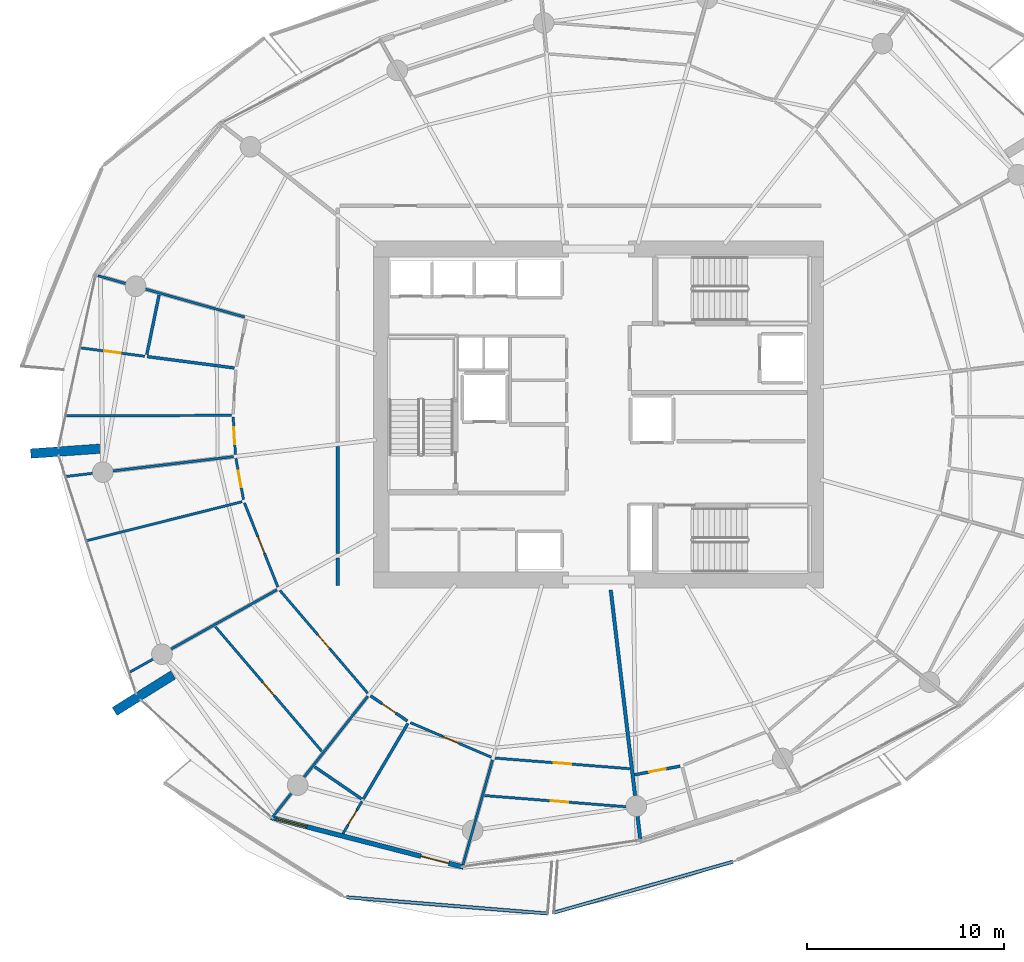
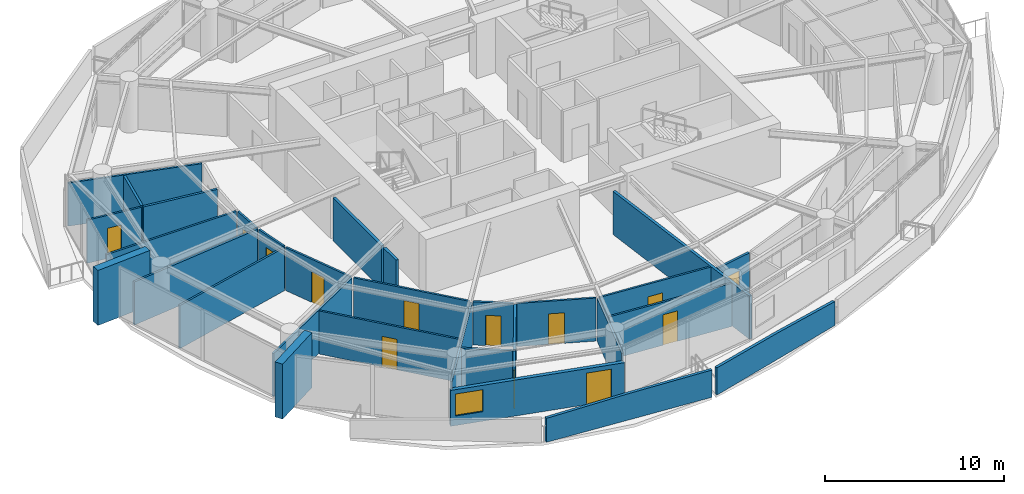
# One storey, part 11 of 20: 31 walls, 13 doors, 1 window, 14 openings.
"""IFC4 building model written with IfcOpenShell, lengths in metres."""

from ifc_helpers import new_model, si_unit, direction, frame, frame_2d, origin, place, context, subcontext, project, spatial, polyline, rectangle, outline, extrude, material, layer, layer_set, type_object, element, fill, save


model = new_model("IFC4")

# Units and contexts
model_context = context("Model", 3, precision=1e-05, world=origin(), true_north=direction((0.0, 1.0)))
body_context = subcontext(model_context, "Body", "Model", "MODEL_VIEW")
ifc_project = project(units=[si_unit("LENGTHUNIT", "METRE"), si_unit("AREAUNIT", "SQUARE_METRE"), si_unit("VOLUMEUNIT", "CUBIC_METRE"), si_unit("PLANEANGLEUNIT", "RADIAN"), si_unit("MASSUNIT", "GRAM", prefix="KILO")], contexts=[model_context])

# Site, building, storey
site_placement = place(None, origin())
site = spatial("IfcSite", under=ifc_project, at=site_placement, CompositionType="ELEMENT")
building_placement = place(site_placement, origin())
building = spatial("IfcBuilding", under=site, at=building_placement, Name="Kazma Halo Residences", CompositionType="ELEMENT")
storey_placement = place(building_placement, frame((0.0, 0.0, 142.800048828125)))
storey = spatial("IfcBuildingStorey", under=building, at=storey_placement, Name="L35", CompositionType="ELEMENT", Elevation=142.800048828125)

# Walls
ifc_material_1 = material(Name="White Concrete C50/60 Balustrade", Category="concrete")
ifc_layer_1 = layer(ifc_material_1, 0.179931640625)
ifc_layer_set_1 = layer_set([ifc_layer_1], Name="White Concrete C50/60 Balustrade")
wall_type_1 = type_object("IfcWallType", Name="WL-BAL-WAVE-180", PredefinedType="PARAPET", material=ifc_layer_set_1)
wall_1_placement = place(storey_placement, frame((35.63427734375, 17.486328125, 0.0), z_axis=(0.0, 0.0, 1.0), x_axis=(0.99674567407, -0.080610552806, 0.0)))
element("IfcWall", 1, at=wall_1_placement, inside=storey, type_object=wall_type_1, Name="L35 white wave balustrade wall SW.2", PredefinedType="PARAPET", context=body_context, shape_type="SweptSolid", body=[
    extrude(outline(polyline([(0.0, 0.0), (10.2490234375, 0.0), (10.2490234375, 1.85986328125), (5.12451171875, 1.7978515625), (0.0, 1.6318359375), (0.0, 0.0)])), frame((0.0, 0.08984375, 0.0), z_axis=(0.0, -1.0, 0.0), x_axis=(1.0, 0.0, 0.0)), (0.0, 0.0, 1.0), 0.179931640625),
])
wall_2_placement = place(storey_placement, frame((46.16455078125, 16.704345703125, 0.0), z_axis=(0.0, 0.0, 1.0), x_axis=(0.961897452062, 0.27341048209, 0.0)))
element("IfcWall", 2, at=wall_2_placement, inside=storey, type_object=wall_type_1, Name="L35 white wave balustrade wall SSE.1", PredefinedType="PARAPET", context=body_context, shape_type="SweptSolid", body=[
    extrude(outline(polyline([(0.0, 0.0), (9.44921875, 0.0), (9.448974609375, 1.6318359375), (4.724609375, 1.7978515625), (0.0, 1.85986328125), (0.0, 0.0)])), frame((0.0, 0.08984375, 0.0), z_axis=(0.0, -1.0, 0.0), x_axis=(1.0, 0.0, 0.0)), (0.0, 0.0, 1.0), 0.179931640625),
])
ifc_material_2 = material(Name="Pale Concrete C60/75", Category="concrete")
ifc_layer_2 = layer(ifc_material_2, 0.47998046875)
ifc_layer_set_2 = layer_set([ifc_layer_2], Name="Pale Concrete C60/75")
wall_type_2 = type_object("IfcWallType", Name="WL-BLADE-480", PredefinedType="SOLIDWALL", material=ifc_layer_set_2)
for number, where, z_axis, x_axis, name in (
    (3, (23.10302734375, 40.259033203125, 0.0), (0.0, 0.0, 1.0), (-0.997564163539, -0.069754853754, 0.0), "L35 pale concrete structural blade fin wall BW-02"),
    (4, (26.834716796875, 28.7744140625, 0.0), (0.0, 0.0, 1.0), (-0.848053161125, -0.529911158502, 0.0), "L35 pale concrete structural blade fin wall BW-03"),
):
    element("IfcWall", number, at=place(storey_placement, frame(where, z_axis=z_axis, x_axis=x_axis)), inside=storey, type_object=wall_type_2, Name=name, PredefinedType="SOLIDWALL", context=body_context, shape_type="SweptSolid", body=[
        extrude(rectangle(XDim=3.5, YDim=0.47998046875, at=frame_2d((1.75, 0.0))), origin(), (0.0, 0.0, 1.0), 3.75),
    ])
ifc_material_3 = material(Name="Acoustic Twin-Stud Gypsum")
ifc_layer_3 = layer(ifc_material_3, 0.179931640625)
ifc_layer_set_3 = layer_set([ifc_layer_3], Name="Acoustic Twin-Stud Gypsum")
wall_type_3 = type_object("IfcWallType", Name="WL-DEM-180", PredefinedType="PARTITIONING", material=ifc_layer_set_3)
wall_3_placement = place(storey_placement, frame((49.054443359375, 33.0908203125, 0.0), z_axis=(0.0, 0.0, 1.0), x_axis=(0.117543744731, -0.993067705685, 0.0)))
element("IfcWall", 5, at=wall_3_placement, inside=storey, type_object=wall_type_3, Name="L35 apartment demising radial wall 11", PredefinedType="PARTITIONING", context=body_context, shape_type="SweptSolid", body=[
    extrude(rectangle(XDim=12.76318359375, YDim=0.179931640625, at=frame_2d((6.381591796875, 0.0))), origin(), (0.0, 0.0, 1.0), 2.93994140625),
])
wall_4_placement = place(storey_placement, frame((35.199951171875, 40.364990234375, 0.0), z_axis=(0.0, 0.0, 1.0), x_axis=(0.0, -1.0, 0.0)))
element("IfcWall", 6, at=wall_4_placement, inside=storey, type_object=wall_type_3, Name="L35 Apartment 1 inner wall 7", PredefinedType="PARTITIONING", context=body_context, shape_type="SweptSolid", body=[
    extrude(rectangle(XDim=5.413330078125, YDim=0.179931640625, at=frame_2d((2.70654296875, 0.0))), origin(), (0.0, 0.0, 1.0), 2.93994140625),
])
wall_5_placement = place(storey_placement, frame((35.199951171875, 34.711669921875, 0.0), z_axis=(0.0, 0.0, 1.0), x_axis=(0.0, -1.0, 0.0)))
element("IfcWall", 7, at=wall_5_placement, inside=storey, type_object=wall_type_3, Name="L35 Apartment 1 inner wall 8", PredefinedType="PARTITIONING", context=body_context, shape_type="SweptSolid", body=[
    extrude(rectangle(XDim=1.3916015625, YDim=0.179931640625, at=frame_2d((0.69580078125, 0.0))), origin(), (0.0, 0.0, 1.0), 2.93994140625),
])

# Wall, openings, door, window
ifc_material_4 = material(Name="Insulated Pale-Metal Composite Wall")
ifc_layer_4 = layer(ifc_material_4, 0.239990234375)
ifc_layer_set_4 = layer_set([ifc_layer_4], Name="Insulated Pale-Metal Composite Wall")
wall_type_4 = type_object("IfcWallType", Name="WL-EXT-HOST-240", PredefinedType="SOLIDWALL", material=ifc_layer_set_4)
wall_6_placement = place(storey_placement, frame((31.807861328125, 21.5341796875, 0.0), z_axis=(0.0, 0.0, 1.0), x_axis=(0.968379685126, -0.249481032214, 0.0)))
wall_6 = element("IfcWall", 8, at=wall_6_placement, inside=storey, type_object=wall_type_4, Name="L35 exterior terrace-access wall B10", PredefinedType="SOLIDWALL", context=body_context, shape_type="SweptSolid", body=[
    extrude(rectangle(XDim=10.08154296875, YDim=0.239990234375, at=frame_2d((5.040771484375, 0.0))), origin(), (0.0, 0.0, 1.0), 2.449951171875),
])
opening_1_placement = place(wall_6_placement, frame((7.861572265625, 0.0, 0.0)))
opening_1 = element("IfcOpeningElement", 9, at=opening_1_placement, cuts=wall_6, Name="Opening DTR-1600", PredefinedType="OPENING", context=body_context, shape_type="SweptSolid", body=[
    extrude(rectangle(XDim=1.449951171875, YDim=2.14990234375, at=frame_2d((0.72509765625, 1.074951171875))), frame((0.0, 0.1298828125, 0.0), z_axis=(0.0, -1.0, 0.0), x_axis=(1.0, 0.0, 0.0)), (0.0, 0.0, 1.0), 0.260009765625),
])
opening_2_placement = place(wall_6_placement, frame((0.280029296875, 0.0, 0.64990234375)))
opening_2 = element("IfcOpeningElement", 10, at=opening_2_placement, cuts=wall_6, Name="Opening W-1800", PredefinedType="OPENING", context=body_context, shape_type="SweptSolid", body=[
    extrude(rectangle(XDim=1.60009765625, YDim=1.5, at=frame_2d((0.800048828125, 0.75))), frame((0.0, 0.1298828125, 0.0), z_axis=(0.0, -1.0, 0.0), x_axis=(1.0, 0.0, 0.0)), (0.0, 0.0, 1.0), 0.260009765625),
])
ifc_material_5 = material(Name="Aluminium AW-6063 T6 Double-Glazed Terrace Door", Category="aluminium")
door_type_1 = type_object("IfcDoorType", Name="DR-EXT-TERR-1600", OperationType="NOTDEFINED", PredefinedType="DOOR", material=ifc_material_5)
door_1_placement = place(opening_1_placement, origin())
door_1 = element("IfcDoor", 11, at=door_1_placement, inside=storey, type_object=door_type_1, Name="L35 B10 balcony terrace door", OperationType="DOUBLE_DOOR_SLIDING", OverallHeight=2.14990234375, OverallWidth=1.449951171875, PredefinedType="DOOR", context=body_context, shape_type="SweptSolid", body=[
    extrude(rectangle(XDim=1.449951171875, YDim=2.14990234375, at=frame_2d((0.72509765625, 1.074951171875))), frame((0.0, 0.02490234375, 0.0), z_axis=(0.0, -1.0, 0.0), x_axis=(1.0, 0.0, 0.0)), (0.0, 0.0, 1.0), 0.050048828125),
])
fill(opening_1, door_1)
ifc_material_6 = material(Name="Clear Triple-Silver Low-E Glass in Aluminium AW-6063 T6 Frame", Category="aluminium")
window_type = type_object("IfcWindowType", Name="WIN-RES-1800", PartitioningType="DOUBLE_PANEL_VERTICAL", PredefinedType="WINDOW", material=ifc_material_6)
window_placement = place(opening_2_placement, origin())
window = element("IfcWindow", 12, at=window_placement, inside=storey, type_object=window_type, Name="L35 B10 apartment window", OverallHeight=1.5, OverallWidth=1.60009765625, PartitioningType="SINGLE_PANEL", PredefinedType="WINDOW", context=body_context, shape_type="SweptSolid", body=[
    extrude(rectangle(XDim=1.60009765625, YDim=1.5, at=frame_2d((0.800048828125, 0.75))), frame((0.0, 0.030029296875, 0.0), z_axis=(0.0, -1.0, 0.0), x_axis=(1.0, 0.0, 0.0)), (0.0, 0.0, 1.0), 0.06005859375),
])
fill(opening_2, window)

# Wall
ifc_material_7 = material(Name="Gypsum Plasterboard Partition")
ifc_layer_5 = layer(ifc_material_7, 0.125)
ifc_layer_set_5 = layer_set([ifc_layer_5], Name="Gypsum Plasterboard Partition")
wall_type_5 = type_object("IfcWallType", Name="WL-PART-125", PredefinedType="PARTITIONING", material=ifc_layer_set_5)
wall_7_placement = place(storey_placement, frame((30.465087890625, 46.9453125, 0.0), z_axis=(0.0, 0.0, 1.0), x_axis=(-0.962456021196, 0.271437667363, 0.0)))
element("IfcWall", 13, at=wall_7_placement, inside=storey, type_object=wall_type_5, Name="L35 Apartment 1 radial partition 6", PredefinedType="PARTITIONING", context=body_context, shape_type="SweptSolid", body=[
    extrude(rectangle(XDim=7.732421875, YDim=0.125, at=frame_2d((3.8662109375, 0.0))), origin(), (0.0, 0.0, 1.0), 2.93994140625),
])

# Wall, opening, door
wall_8_placement = place(storey_placement, frame((25.393310546875, 44.955078125, 0.0), z_axis=(0.0, 0.0, 1.0), x_axis=(-0.991560176963, 0.12964727325, 0.0)))
wall_8 = element("IfcWall", 14, at=wall_8_placement, inside=storey, type_object=wall_type_5, Name="L35 Apartment 1 Utility Laundry Room partition wall", PredefinedType="PARTITIONING", context=body_context, shape_type="SweptSolid", body=[
    extrude(rectangle(XDim=3.2861328125, YDim=0.125, at=frame_2d((1.64306640625, 0.0))), origin(), (0.0, 0.0, 1.0), 2.93994140625),
])
opening_3_placement = place(wall_8_placement, frame((1.218017578125, 0.0, 0.0)))
opening_3 = element("IfcOpeningElement", 15, at=opening_3_placement, cuts=wall_8, Name="Opening DB-900", PredefinedType="OPENING", context=body_context, shape_type="SweptSolid", body=[
    extrude(rectangle(XDim=0.85009765625, YDim=2.06005859375, at=frame_2d((0.425048828125, 1.030029296875))), frame((0.0, 0.072509765625, 0.0), z_axis=(0.0, -1.0, 0.0), x_axis=(1.0, 0.0, 0.0)), (0.0, 0.0, 1.0), 0.14501953125),
])
ifc_material_8 = material(Name="Moisture-Sealed Timber Leaf", Category="wood")
door_type_2 = type_object("IfcDoorType", Name="DR-BTH-900", OperationType="NOTDEFINED", PredefinedType="DOOR", material=ifc_material_8)
door_2_placement = place(opening_3_placement, origin())
door_2 = element("IfcDoor", 16, at=door_2_placement, inside=storey, type_object=door_type_2, Name="L35 Apartment 1 Utility Laundry Room door", OperationType="SINGLE_SWING_LEFT", OverallHeight=2.06005859375, OverallWidth=0.85009765625, PredefinedType="DOOR", context=body_context, shape_type="SweptSolid", body=[
    extrude(rectangle(XDim=0.85009765625, YDim=2.06005859375, at=frame_2d((0.425048828125, 1.030029296875))), frame((0.0, 0.02490234375, 0.0), z_axis=(0.0, -1.0, 0.0), x_axis=(1.0, 0.0, 0.0)), (0.0, 0.0, 1.0), 0.050048828125),
])
fill(opening_3, door_2)

# Wall
wall_9_placement = place(storey_placement, frame((29.791015625, 41.952880859375, 0.0), z_axis=(0.0, 0.0, 1.0), x_axis=(-0.999996651439, -0.0025878777, 0.0)))
element("IfcWall", 17, at=wall_9_placement, inside=storey, type_object=wall_type_5, Name="L35 Apartment 1 suite divider 6", PredefinedType="PARTITIONING", context=body_context, shape_type="SweptSolid", body=[
    extrude(rectangle(XDim=8.396240234375, YDim=0.125, at=frame_2d((4.1982421875, 0.0))), origin(), (0.0, 0.0, 1.0), 2.93994140625),
])

# Wall, opening, door
wall_10_placement = place(storey_placement, frame((29.885986328125, 41.873291015625, 0.0), z_axis=(0.0, 0.0, 1.0), x_axis=(0.060058165276, -0.998194879161, 0.0)))
wall_10 = element("IfcWall", 18, at=wall_10_placement, inside=storey, type_object=wall_type_5, Name="L35 Apartment 1 Primary Bedroom hall wall", PredefinedType="PARTITIONING", context=body_context, shape_type="SweptSolid", body=[
    extrude(rectangle(XDim=1.906494140625, YDim=0.125, at=frame_2d((0.953125, 0.0))), origin(), (0.0, 0.0, 1.0), 2.93994140625),
])
opening_4_placement = place(wall_10_placement, frame((0.5283203125, 0.0, 0.0)))
opening_4 = element("IfcOpeningElement", 19, at=opening_4_placement, cuts=wall_10, Name="Opening DB-900", PredefinedType="OPENING", context=body_context, shape_type="SweptSolid", body=[
    extrude(rectangle(XDim=0.85009765625, YDim=2.06005859375, at=frame_2d((0.425048828125, 1.030029296875))), frame((0.0, 0.072509765625, 0.0), z_axis=(0.0, -1.0, 0.0), x_axis=(1.0, 0.0, 0.0)), (0.0, 0.0, 1.0), 0.14501953125),
])
door_3_placement = place(opening_4_placement, origin())
door_3 = element("IfcDoor", 20, at=door_3_placement, inside=storey, type_object=door_type_2, Name="L35 Apartment 1 Primary Bedroom door", OperationType="SINGLE_SWING_LEFT", OverallHeight=2.06005859375, OverallWidth=0.85009765625, PredefinedType="DOOR", context=body_context, shape_type="SweptSolid", body=[
    extrude(rectangle(XDim=0.85009765625, YDim=2.06005859375, at=frame_2d((0.425048828125, 1.030029296875))), frame((0.0, 0.02490234375, 0.0), z_axis=(0.0, -1.0, 0.0), x_axis=(1.0, 0.0, 0.0)), (0.0, 0.0, 1.0), 0.050048828125),
])
fill(opening_4, door_3)

# Walls
wall_11_placement = place(storey_placement, frame((29.9072265625, 39.8583984375, 0.0), z_axis=(0.0, 0.0, 1.0), x_axis=(-0.993070228419, -0.117522429465, 0.0)))
element("IfcWall", 21, at=wall_11_placement, inside=storey, type_object=wall_type_5, Name="L35 Apartment 1 radial partition 7", PredefinedType="PARTITIONING", context=body_context, shape_type="SweptSolid", body=[
    extrude(rectangle(XDim=8.567138671875, YDim=0.125, at=frame_2d((4.28369140625, 0.0))), origin(), (0.0, 0.0, 1.0), 2.93994140625),
])
wall_12_placement = place(storey_placement, frame((30.33837890625, 37.568603515625, 0.0), z_axis=(0.0, 0.0, 1.0), x_axis=(-0.969940631235, -0.243341677236, 0.0)))
element("IfcWall", 22, at=wall_12_placement, inside=storey, type_object=wall_type_5, Name="L35 Apartment 1 mid-bay wall 7", PredefinedType="PARTITIONING", context=body_context, shape_type="SweptSolid", body=[
    extrude(rectangle(XDim=8.12353515625, YDim=0.125, at=frame_2d((4.061767578125, 0.0))), origin(), (0.0, 0.0, 1.0), 2.93994140625),
])

# Wall, opening, door
wall_13_placement = place(storey_placement, frame((30.024658203125, 39.77197265625, 0.0), z_axis=(0.0, 0.0, 1.0), x_axis=(0.180764237825, -0.983526456341, 0.0)))
wall_13 = element("IfcWall", 23, at=wall_13_placement, inside=storey, type_object=wall_type_5, Name="L35 Apartment 1 East Bedroom hall wall", PredefinedType="PARTITIONING", context=body_context, shape_type="SweptSolid", body=[
    extrude(rectangle(XDim=2.137939453125, YDim=0.125, at=frame_2d((1.06884765625, 0.0))), origin(), (0.0, 0.0, 1.0), 2.93994140625),
])
opening_5_placement = place(wall_13_placement, frame((0.64404296875, 0.0, 0.0)))
opening_5 = element("IfcOpeningElement", 24, at=opening_5_placement, cuts=wall_13, Name="Opening DB-900", PredefinedType="OPENING", context=body_context, shape_type="SweptSolid", body=[
    extrude(rectangle(XDim=0.85009765625, YDim=2.06005859375, at=frame_2d((0.425048828125, 1.030029296875))), frame((0.0, 0.072509765625, 0.0), z_axis=(0.0, -1.0, 0.0), x_axis=(1.0, 0.0, 0.0)), (0.0, 0.0, 1.0), 0.14501953125),
])
door_4_placement = place(opening_5_placement, origin())
door_4 = element("IfcDoor", 25, at=door_4_placement, inside=storey, type_object=door_type_2, Name="L35 Apartment 1 East Bedroom door", OperationType="SINGLE_SWING_LEFT", OverallHeight=2.06005859375, OverallWidth=0.85009765625, PredefinedType="DOOR", context=body_context, shape_type="SweptSolid", body=[
    extrude(rectangle(XDim=0.85009765625, YDim=2.06005859375, at=frame_2d((0.425048828125, 1.030029296875))), frame((0.0, 0.02490234375, 0.0), z_axis=(0.0, -1.0, 0.0), x_axis=(1.0, 0.0, 0.0)), (0.0, 0.0, 1.0), 0.050048828125),
])
fill(opening_5, door_4)

wall_14_placement = place(storey_placement, frame((30.455078125, 37.51611328125, 0.0), z_axis=(0.0, 0.0, 1.0), x_axis=(0.369249273076, -0.929330390299, 0.0)))
wall_14 = element("IfcWall", 26, at=wall_14_placement, inside=storey, type_object=wall_type_5, Name="L35 Apartment 1 West Master Bedroom hall wall", PredefinedType="PARTITIONING", context=body_context, shape_type="SweptSolid", body=[
    extrude(rectangle(XDim=4.601806640625, YDim=0.125, at=frame_2d((2.30078125, 0.0))), origin(), (0.0, 0.0, 1.0), 2.93994140625),
])
opening_6_placement = place(wall_14_placement, frame((1.850830078125, 0.0, 0.0)))
opening_6 = element("IfcOpeningElement", 27, at=opening_6_placement, cuts=wall_14, Name="Opening DI-950", PredefinedType="OPENING", context=body_context, shape_type="SweptSolid", body=[
    extrude(rectangle(XDim=0.89990234375, YDim=2.080078125, at=frame_2d((0.449951171875, 1.0400390625))), frame((0.0, 0.072509765625, 0.0), z_axis=(0.0, -1.0, 0.0), x_axis=(1.0, 0.0, 0.0)), (0.0, 0.0, 1.0), 0.14501953125),
])
ifc_material_9 = material(Name="Timber Veneer Flush Leaf", Category="wood")
door_type_3 = type_object("IfcDoorType", Name="DR-INT-950", OperationType="NOTDEFINED", PredefinedType="DOOR", material=ifc_material_9)
door_5_placement = place(opening_6_placement, origin())
door_5 = element("IfcDoor", 28, at=door_5_placement, inside=storey, type_object=door_type_3, Name="L35 Apartment 1 West Master Bedroom door", OperationType="SINGLE_SWING_RIGHT", OverallHeight=2.080078125, OverallWidth=0.89990234375, PredefinedType="DOOR", context=body_context, shape_type="SweptSolid", body=[
    extrude(rectangle(XDim=0.89990234375, YDim=2.080078125, at=frame_2d((0.449951171875, 1.0400390625))), frame((0.0, 0.02490234375, 0.0), z_axis=(0.0, -1.0, 0.0), x_axis=(1.0, 0.0, 0.0)), (0.0, 0.0, 1.0), 0.050048828125),
])
fill(opening_6, door_5)

# Wall
wall_15_placement = place(storey_placement, frame((32.10400390625, 33.097900390625, 0.0), z_axis=(0.0, 0.0, 1.0), x_axis=(-0.872488035617, -0.488635475283, 0.0)))
element("IfcWall", 29, at=wall_15_placement, inside=storey, type_object=wall_type_5, Name="L35 Apartment 1 radial partition 8", PredefinedType="PARTITIONING", context=body_context, shape_type="SweptSolid", body=[
    extrude(rectangle(XDim=8.5673828125, YDim=0.125, at=frame_2d((4.28369140625, 0.0))), origin(), (0.0, 0.0, 1.0), 2.93994140625),
])

# Wall, opening, door
wall_16_placement = place(storey_placement, frame((32.2626953125, 33.06298828125, 0.0), z_axis=(0.0, 0.0, 1.0), x_axis=(0.649448927448, -0.760405214762, 0.0)))
wall_16 = element("IfcWall", 30, at=wall_16_placement, inside=storey, type_object=wall_type_5, Name="L35 Apartment 1 North Study hall wall", PredefinedType="PARTITIONING", context=body_context, shape_type="SweptSolid", body=[
    extrude(rectangle(XDim=6.849609375, YDim=0.125, at=frame_2d((3.4248046875, 0.0))), origin(), (0.0, 0.0, 1.0), 2.93994140625),
])
opening_7_placement = place(wall_16_placement, frame((2.974853515625, 0.0, 0.0)))
opening_7 = element("IfcOpeningElement", 31, at=opening_7_placement, cuts=wall_16, Name="Opening DI-950", PredefinedType="OPENING", context=body_context, shape_type="SweptSolid", body=[
    extrude(rectangle(XDim=0.89990234375, YDim=2.080078125, at=frame_2d((0.449951171875, 1.0400390625))), frame((0.0, 0.072509765625, 0.0), z_axis=(0.0, -1.0, 0.0), x_axis=(1.0, 0.0, 0.0)), (0.0, 0.0, 1.0), 0.14501953125),
])
door_6_placement = place(opening_7_placement, origin())
door_6 = element("IfcDoor", 32, at=door_6_placement, inside=storey, type_object=door_type_3, Name="L35 Apartment 1 North Study door", OperationType="SINGLE_SWING_RIGHT", OverallHeight=2.080078125, OverallWidth=0.89990234375, PredefinedType="DOOR", context=body_context, shape_type="SweptSolid", body=[
    extrude(rectangle(XDim=0.89990234375, YDim=2.080078125, at=frame_2d((0.449951171875, 1.0400390625))), frame((0.0, 0.02490234375, 0.0), z_axis=(0.0, -1.0, 0.0), x_axis=(1.0, 0.0, 0.0)), (0.0, 0.0, 1.0), 0.050048828125),
])
fill(opening_7, door_6)

wall_17_placement = place(storey_placement, frame((28.982177734375, 31.225830078125, 0.0), z_axis=(0.0, 0.0, 1.0), x_axis=(0.649429273824, -0.760422000142, 0.0)))
wall_17 = element("IfcWall", 33, at=wall_17_placement, inside=storey, type_object=wall_type_5, Name="L35 Apartment 1 South Master Bedroom divider wall", PredefinedType="PARTITIONING", context=body_context, shape_type="SweptSolid", body=[
    extrude(rectangle(XDim=8.316650390625, YDim=0.125, at=frame_2d((4.158203125, 0.0))), origin(), (0.0, 0.0, 1.0), 2.93994140625),
])
opening_8_placement = place(wall_17_placement, frame((3.70849609375, 0.0, 0.0)))
opening_8 = element("IfcOpeningElement", 34, at=opening_8_placement, cuts=wall_17, Name="Opening DI-950", PredefinedType="OPENING", context=body_context, shape_type="SweptSolid", body=[
    extrude(rectangle(XDim=0.89990234375, YDim=2.080078125, at=frame_2d((0.449951171875, 1.0400390625))), frame((0.0, 0.072509765625, 0.0), z_axis=(0.0, -1.0, 0.0), x_axis=(1.0, 0.0, 0.0)), (0.0, 0.0, 1.0), 0.14501953125),
])
door_7_placement = place(opening_8_placement, origin())
door_7 = element("IfcDoor", 35, at=door_7_placement, inside=storey, type_object=door_type_3, Name="L35 Apartment 1 South Master Bedroom door", OperationType="SINGLE_SWING_LEFT", OverallHeight=2.080078125, OverallWidth=0.89990234375, PredefinedType="DOOR", context=body_context, shape_type="SweptSolid", body=[
    extrude(rectangle(XDim=0.89990234375, YDim=2.080078125, at=frame_2d((0.449951171875, 1.0400390625))), frame((0.0, 0.02490234375, 0.0), z_axis=(0.0, -1.0, 0.0), x_axis=(1.0, 0.0, 0.0)), (0.0, 0.0, 1.0), 0.050048828125),
])
fill(opening_8, door_7)

# Wall
wall_18_placement = place(storey_placement, frame((36.720703125, 27.6923828125, 0.0), z_axis=(0.0, 0.0, 1.0), x_axis=(-0.619091325953, -0.785318998962, 0.0)))
element("IfcWall", 36, at=wall_18_placement, inside=storey, type_object=wall_type_5, Name="L35 Apartment 1 radial partition 9", PredefinedType="PARTITIONING", context=body_context, shape_type="SweptSolid", body=[
    extrude(rectangle(XDim=7.832763671875, YDim=0.125, at=frame_2d((3.91650390625, 0.0))), origin(), (0.0, 0.0, 1.0), 2.93994140625),
])

# Wall, opening, door
wall_19_placement = place(storey_placement, frame((36.42529296875, 22.35791015625, 0.0), z_axis=(0.0, 0.0, 1.0), x_axis=(-0.507653216709, -0.861561496102, 0.0)))
wall_19 = element("IfcWall", 37, at=wall_19_placement, inside=storey, type_object=wall_type_5, Name="L35 Apartment 1 Outer Walk-In Wardrobe partition wall", PredefinedType="PARTITIONING", context=body_context, shape_type="SweptSolid", body=[
    extrude(rectangle(XDim=1.904052734375, YDim=0.125, at=frame_2d((0.9521484375, 0.0))), origin(), (0.0, 0.0, 1.0), 2.93994140625),
])
opening_9_placement = place(wall_19_placement, frame((0.52685546875, 0.0, 0.0)))
opening_9 = element("IfcOpeningElement", 38, at=opening_9_placement, cuts=wall_19, Name="Opening DB-900", PredefinedType="OPENING", context=body_context, shape_type="SweptSolid", body=[
    extrude(rectangle(XDim=0.85009765625, YDim=2.06005859375, at=frame_2d((0.425048828125, 1.030029296875))), frame((0.0, 0.072509765625, 0.0), z_axis=(0.0, -1.0, 0.0), x_axis=(1.0, 0.0, 0.0)), (0.0, 0.0, 1.0), 0.14501953125),
])
door_8_placement = place(opening_9_placement, origin())
door_8 = element("IfcDoor", 39, at=door_8_placement, inside=storey, type_object=door_type_2, Name="L35 Apartment 1 Outer Walk-In Wardrobe door", OperationType="SINGLE_SWING_RIGHT", OverallHeight=2.06005859375, OverallWidth=0.85009765625, PredefinedType="DOOR", context=body_context, shape_type="SweptSolid", body=[
    extrude(rectangle(XDim=0.85009765625, YDim=2.06005859375, at=frame_2d((0.425048828125, 1.030029296875))), frame((0.0, 0.02490234375, 0.0), z_axis=(0.0, -1.0, 0.0), x_axis=(1.0, 0.0, 0.0)), (0.0, 0.0, 1.0), 0.050048828125),
])
fill(opening_9, door_8)

wall_20_placement = place(storey_placement, frame((38.884033203125, 26.354248046875, 0.0), z_axis=(0.0, 0.0, 1.0), x_axis=(0.919625189591, -0.392797034955, 0.0)))
wall_20 = element("IfcWall", 40, at=wall_20_placement, inside=storey, type_object=wall_type_5, Name="L35 Apartment 1 Corner Master Bedroom hall wall", PredefinedType="PARTITIONING", context=body_context, shape_type="SweptSolid", body=[
    extrude(rectangle(XDim=4.464599609375, YDim=0.125, at=frame_2d((2.232421875, 0.0))), origin(), (0.0, 0.0, 1.0), 2.93994140625),
])
opening_10_placement = place(wall_20_placement, frame((1.7822265625, 0.0, 0.0)))
opening_10 = element("IfcOpeningElement", 41, at=opening_10_placement, cuts=wall_20, Name="Opening DI-950", PredefinedType="OPENING", context=body_context, shape_type="SweptSolid", body=[
    extrude(rectangle(XDim=0.89990234375, YDim=2.080078125, at=frame_2d((0.449951171875, 1.0400390625))), frame((0.0, 0.072509765625, 0.0), z_axis=(0.0, -1.0, 0.0), x_axis=(1.0, 0.0, 0.0)), (0.0, 0.0, 1.0), 0.14501953125),
])
door_9_placement = place(opening_10_placement, origin())
door_9 = element("IfcDoor", 42, at=door_9_placement, inside=storey, type_object=door_type_3, Name="L35 Apartment 1 Corner Master Bedroom door", OperationType="SINGLE_SWING_LEFT", OverallHeight=2.080078125, OverallWidth=0.89990234375, PredefinedType="DOOR", context=body_context, shape_type="SweptSolid", body=[
    extrude(rectangle(XDim=0.89990234375, YDim=2.080078125, at=frame_2d((0.449951171875, 1.0400390625))), frame((0.0, 0.02490234375, 0.0), z_axis=(0.0, -1.0, 0.0), x_axis=(1.0, 0.0, 0.0)), (0.0, 0.0, 1.0), 0.050048828125),
])
fill(opening_10, door_9)

# Wall
wall_21_placement = place(storey_placement, frame((43.0546875, 24.465087890625, 0.0), z_axis=(0.0, 0.0, 1.0), x_axis=(-0.271448610669, -0.962452934831, 0.0)))
element("IfcWall", 43, at=wall_21_placement, inside=storey, type_object=wall_type_5, Name="L35 Apartment 1 radial partition 10", PredefinedType="PARTITIONING", context=body_context, shape_type="SweptSolid", body=[
    extrude(rectangle(XDim=5.5205078125, YDim=0.125, at=frame_2d((2.76025390625, 0.0))), origin(), (0.0, 0.0, 1.0), 2.93994140625),
])

# Wall, opening, door
wall_22_placement = place(storey_placement, frame((43.19140625, 24.552734375, 0.0), z_axis=(0.0, 0.0, 1.0), x_axis=(0.996915344956, -0.078484361444, 0.0)))
wall_22 = element("IfcWall", 44, at=wall_22_placement, inside=storey, type_object=wall_type_5, Name="L35 Apartment 1 Garden Study hall wall", PredefinedType="PARTITIONING", context=body_context, shape_type="SweptSolid", body=[
    extrude(rectangle(XDim=6.849853515625, YDim=0.125, at=frame_2d((3.4248046875, 0.0))), origin(), (0.0, 0.0, 1.0), 2.93994140625),
])
opening_11_placement = place(wall_22_placement, frame((2.974853515625, 0.0, 0.0)))
opening_11 = element("IfcOpeningElement", 45, at=opening_11_placement, cuts=wall_22, Name="Opening DI-950", PredefinedType="OPENING", context=body_context, shape_type="SweptSolid", body=[
    extrude(rectangle(XDim=0.89990234375, YDim=2.080078125, at=frame_2d((0.449951171875, 1.0400390625))), frame((0.0, 0.072509765625, 0.0), z_axis=(0.0, -1.0, 0.0), x_axis=(1.0, 0.0, 0.0)), (0.0, 0.0, 1.0), 0.14501953125),
])
door_10_placement = place(opening_11_placement, origin())
door_10 = element("IfcDoor", 46, at=door_10_placement, inside=storey, type_object=door_type_3, Name="L35 Apartment 1 Garden Study door", OperationType="SINGLE_SWING_RIGHT", OverallHeight=2.080078125, OverallWidth=0.89990234375, PredefinedType="DOOR", context=body_context, shape_type="SweptSolid", body=[
    extrude(rectangle(XDim=0.89990234375, YDim=2.080078125, at=frame_2d((0.449951171875, 1.0400390625))), frame((0.0, 0.02490234375, 0.0), z_axis=(0.0, -1.0, 0.0), x_axis=(1.0, 0.0, 0.0)), (0.0, 0.0, 1.0), 0.050048828125),
])
fill(opening_11, door_10)

wall_23_placement = place(storey_placement, frame((42.654541015625, 22.64892578125, 0.0), z_axis=(0.0, 0.0, 1.0), x_axis=(0.996915518975, -0.078482151007, 0.0)))
wall_23 = element("IfcWall", 47, at=wall_23_placement, inside=storey, type_object=wall_type_5, Name="L35 Apartment 1 Sky Bedroom divider wall", PredefinedType="PARTITIONING", context=body_context, shape_type="SweptSolid", body=[
    extrude(rectangle(XDim=7.621337890625, YDim=0.125, at=frame_2d((3.810546875, 0.0))), origin(), (0.0, 0.0, 1.0), 2.93994140625),
])
opening_12_placement = place(wall_23_placement, frame((3.360595703125, 0.0, 0.0)))
opening_12 = element("IfcOpeningElement", 48, at=opening_12_placement, cuts=wall_23, Name="Opening DI-950", PredefinedType="OPENING", context=body_context, shape_type="SweptSolid", body=[
    extrude(rectangle(XDim=0.89990234375, YDim=2.080078125, at=frame_2d((0.449951171875, 1.0400390625))), frame((0.0, 0.072509765625, 0.0), z_axis=(0.0, -1.0, 0.0), x_axis=(1.0, 0.0, 0.0)), (0.0, 0.0, 1.0), 0.14501953125),
])
door_11_placement = place(opening_12_placement, origin())
door_11 = element("IfcDoor", 49, at=door_11_placement, inside=storey, type_object=door_type_3, Name="L35 Apartment 1 Sky Bedroom door", OperationType="SINGLE_SWING_LEFT", OverallHeight=2.080078125, OverallWidth=0.89990234375, PredefinedType="DOOR", context=body_context, shape_type="SweptSolid", body=[
    extrude(rectangle(XDim=0.89990234375, YDim=2.080078125, at=frame_2d((0.449951171875, 1.0400390625))), frame((0.0, 0.02490234375, 0.0), z_axis=(0.0, -1.0, 0.0), x_axis=(1.0, 0.0, 0.0)), (0.0, 0.0, 1.0), 0.050048828125),
])
fill(opening_12, door_11)

# Walls
ifc_material_10 = material(Name="Moisture-Resistant Gypsum")
ifc_layer_6 = layer(ifc_material_10, 0.14990234375)
ifc_layer_set_6 = layer_set([ifc_layer_6], Name="Moisture-Resistant Gypsum")
wall_type_6 = type_object("IfcWallType", Name="WL-WET-150", PredefinedType="PARTITIONING", material=ifc_layer_set_6)
wall_24_placement = place(storey_placement, frame((26.12353515625, 48.066162109375, 0.0), z_axis=(0.0, 0.0, 1.0), x_axis=(-0.201054681034, -0.979580019822, 0.0)))
element("IfcWall", 50, at=wall_24_placement, inside=storey, type_object=wall_type_6, Name="L35 Apartment 1 Guest Bathroom back wall", PredefinedType="PARTITIONING", context=body_context, shape_type="SweptSolid", body=[
    extrude(rectangle(XDim=3.09765625, YDim=0.14990234375, at=frame_2d((1.548828125, 0.0))), origin(), (0.0, 0.0, 1.0), 2.93994140625),
])
wall_25_placement = place(storey_placement, frame((29.944580078125, 44.360107421875, 0.0), z_axis=(0.0, 0.0, 1.0), x_axis=(-0.991563130501, 0.129624682181, 0.0)))
element("IfcWall", 51, at=wall_25_placement, inside=storey, type_object=wall_type_6, Name="L35 Apartment 1 Guest Bathroom side wall", PredefinedType="PARTITIONING", context=body_context, shape_type="SweptSolid", body=[
    extrude(rectangle(XDim=4.4599609375, YDim=0.14990234375, at=frame_2d((2.22998046875, 0.0))), origin(), (0.0, 0.0, 1.0), 2.93994140625),
])

# Wall, opening, door
wall_26_placement = place(storey_placement, frame((36.864990234375, 27.71435546875, 0.0), z_axis=(0.0, 0.0, 1.0), x_axis=(0.825296643152, -0.564699434037, 0.0)))
wall_26 = element("IfcWall", 52, at=wall_26_placement, inside=storey, type_object=wall_type_6, Name="L35 Apartment 1 Inner En-Suite Bathroom hall wall", PredefinedType="PARTITIONING", context=body_context, shape_type="SweptSolid", body=[
    extrude(rectangle(XDim=2.255859375, YDim=0.14990234375, at=frame_2d((1.1279296875, 0.0))), origin(), (0.0, 0.0, 1.0), 2.93994140625),
])
opening_13_placement = place(wall_26_placement, frame((0.702880859375, 0.0, 0.0)))
opening_13 = element("IfcOpeningElement", 53, at=opening_13_placement, cuts=wall_26, Name="Opening DB-900", PredefinedType="OPENING", context=body_context, shape_type="SweptSolid", body=[
    extrude(rectangle(XDim=0.85009765625, YDim=2.06005859375, at=frame_2d((0.425048828125, 1.030029296875))), frame((0.0, 0.0849609375, 0.0), z_axis=(0.0, -1.0, 0.0), x_axis=(1.0, 0.0, 0.0)), (0.0, 0.0, 1.0), 0.169921875),
])
door_12_placement = place(opening_13_placement, origin())
door_12 = element("IfcDoor", 54, at=door_12_placement, inside=storey, type_object=door_type_2, Name="L35 Apartment 1 Inner En-Suite Bathroom door", OperationType="SINGLE_SWING_LEFT", OverallHeight=2.06005859375, OverallWidth=0.85009765625, PredefinedType="DOOR", context=body_context, shape_type="SweptSolid", body=[
    extrude(rectangle(XDim=0.85009765625, YDim=2.06005859375, at=frame_2d((0.425048828125, 1.030029296875))), frame((0.0, 0.02490234375, 0.0), z_axis=(0.0, -1.0, 0.0), x_axis=(1.0, 0.0, 0.0)), (0.0, 0.0, 1.0), 0.050048828125),
])
fill(opening_13, door_12)

# Walls
wall_27_placement = place(storey_placement, frame((34.0234375, 24.109619140625, 0.0), z_axis=(0.0, 0.0, 1.0), x_axis=(0.825328087742, -0.564653475667, 0.0)))
element("IfcWall", 55, at=wall_27_placement, inside=storey, type_object=wall_type_6, Name="L35 Apartment 1 Inner En-Suite Bathroom back wall", PredefinedType="PARTITIONING", context=body_context, shape_type="SweptSolid", body=[
    extrude(rectangle(XDim=2.875244140625, YDim=0.14990234375, at=frame_2d((1.4375, 0.0))), origin(), (0.0, 0.0, 1.0), 2.93994140625),
])
wall_28_placement = place(storey_placement, frame((38.755615234375, 26.312255859375, 0.0), z_axis=(0.0, 0.0, 1.0), x_axis=(-0.507701739566, -0.8615329034, 0.0)))
element("IfcWall", 56, at=wall_28_placement, inside=storey, type_object=wall_type_6, Name="L35 Apartment 1 Inner En-Suite Bathroom side wall", PredefinedType="PARTITIONING", context=body_context, shape_type="SweptSolid", body=[
    extrude(rectangle(XDim=4.460205078125, YDim=0.14990234375, at=frame_2d((2.22998046875, 0.0))), origin(), (0.0, 0.0, 1.0), 2.93994140625),
])

# Wall, opening, door
wall_29_placement = place(storey_placement, frame((50.265625, 23.70751953125, 0.0), z_axis=(0.0, 0.0, 1.0), x_axis=(0.982578938246, 0.18584571589, 0.0)))
wall_29 = element("IfcWall", 57, at=wall_29_placement, inside=storey, type_object=wall_type_6, Name="L35 Apartment 2 Guest Bathroom hall wall", PredefinedType="PARTITIONING", context=body_context, shape_type="SweptSolid", body=[
    extrude(rectangle(XDim=2.356689453125, YDim=0.14990234375, at=frame_2d((1.17822265625, 0.0))), origin(), (0.0, 0.0, 1.0), 2.93994140625),
])
opening_14_placement = place(wall_29_placement, frame((0.75341796875, 0.0, 0.0)))
opening_14 = element("IfcOpeningElement", 58, at=opening_14_placement, cuts=wall_29, Name="Opening DB-900", PredefinedType="OPENING", context=body_context, shape_type="SweptSolid", body=[
    extrude(rectangle(XDim=0.85009765625, YDim=2.06005859375, at=frame_2d((0.425048828125, 1.030029296875))), frame((0.0, 0.0849609375, 0.0), z_axis=(0.0, -1.0, 0.0), x_axis=(1.0, 0.0, 0.0)), (0.0, 0.0, 1.0), 0.169921875),
])
door_13_placement = place(opening_14_placement, origin())
door_13 = element("IfcDoor", 59, at=door_13_placement, inside=storey, type_object=door_type_2, Name="L35 Apartment 2 Guest Bathroom door", OperationType="SINGLE_SWING_LEFT", OverallHeight=2.06005859375, OverallWidth=0.85009765625, PredefinedType="DOOR", context=body_context, shape_type="SweptSolid", body=[
    extrude(rectangle(XDim=0.85009765625, YDim=2.06005859375, at=frame_2d((0.425048828125, 1.030029296875))), frame((0.0, 0.02490234375, 0.0), z_axis=(0.0, -1.0, 0.0), x_axis=(1.0, 0.0, 0.0)), (0.0, 0.0, 1.0), 0.050048828125),
])
fill(opening_14, door_13)

save(model, "model.ifc")
